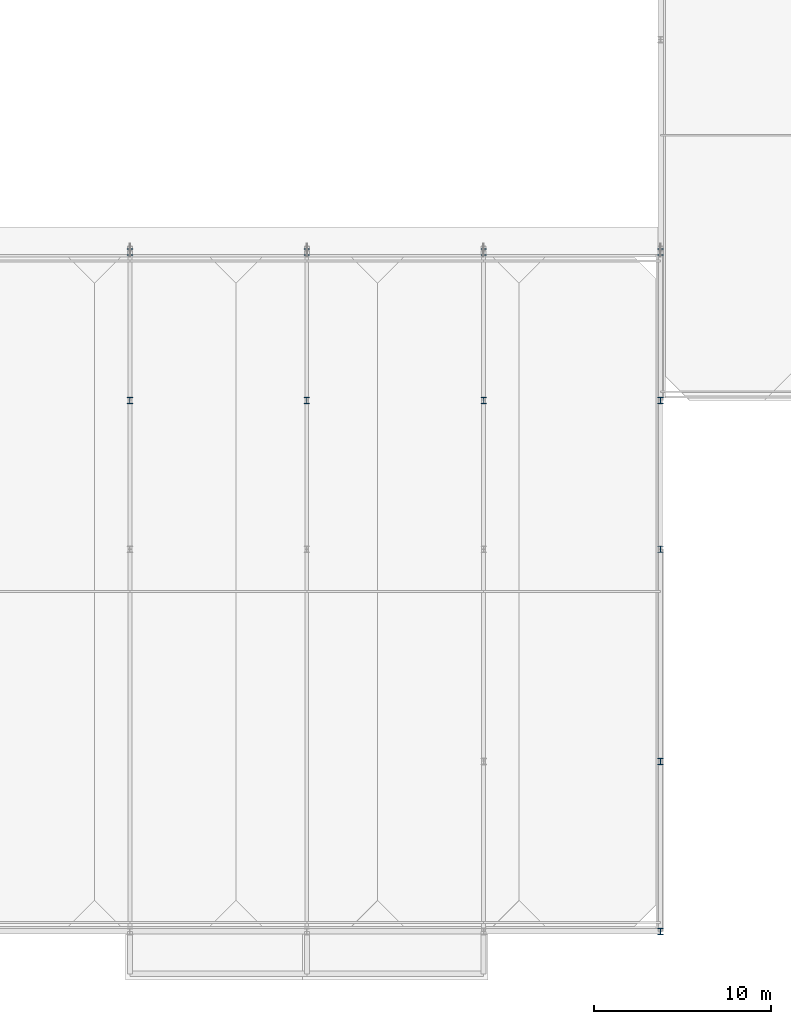
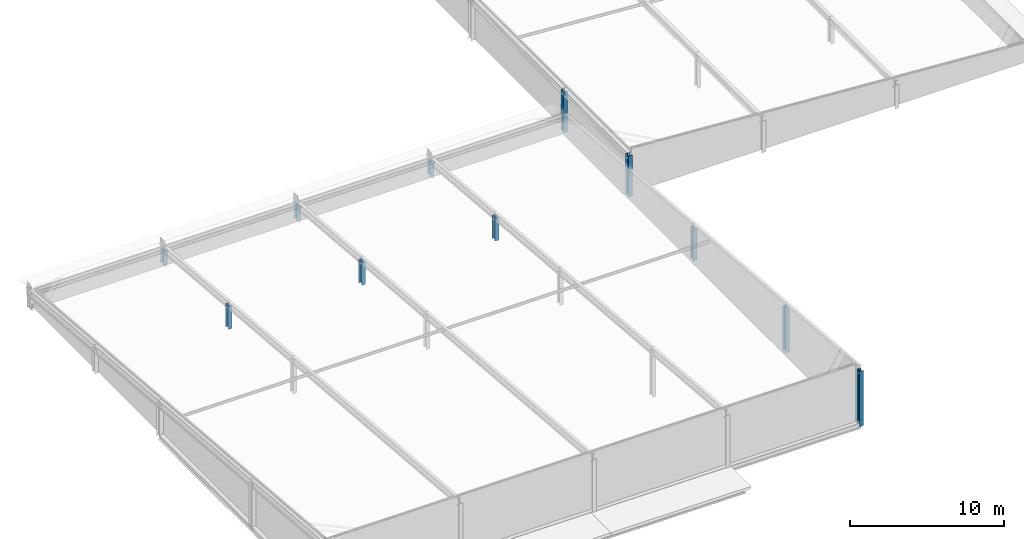
# One storey, part 16 of 79: 11 columns.
"""IFC4 building model written with IfcOpenShell, lengths in metres."""

from ifc_helpers import new_model, si_unit, direction, frame, origin, origin_2d, place, context, subcontext, project, spatial, i_section, extrude, material, material_profile, profile_set, type_object, element, save


model = new_model("IFC4")

# Units and contexts
model_context = context("Model", 3, precision=1e-05, world=origin(), true_north=direction((0.0, 1.0)))
body_context = subcontext(model_context, "Body", "Model", "MODEL_VIEW")
ifc_project = project(units=[si_unit("LENGTHUNIT", "METRE"), si_unit("AREAUNIT", "SQUARE_METRE"), si_unit("VOLUMEUNIT", "CUBIC_METRE"), si_unit("PLANEANGLEUNIT", "RADIAN"), si_unit("MASSUNIT", "GRAM", prefix="KILO")], contexts=[model_context])

# Site, building, storey
site_placement = place(None, origin())
site = spatial("IfcSite", under=ifc_project, at=site_placement, CompositionType="ELEMENT")
building_placement = place(site_placement, origin())
building = spatial("IfcBuilding", under=site, at=building_placement, Name="Zereglee Splitstone Museum", CompositionType="ELEMENT")
storey_placement = place(building_placement, frame((0.0, 0.0, 9.0)))
storey = spatial("IfcBuildingStorey", under=building, at=storey_placement, Name="L02", CompositionType="ELEMENT", Elevation=9.0)

# Columns
ifc_material = material(Name="Steel S355J2", Category="steel")
ifc_material_profile = material_profile(ifc_material, i_section(OverallWidth=0.300048828125, OverallDepth=0.360107421875, WebThickness=0.012451171875, FlangeThickness=0.0224609375, FilletRadius=0.027099609375, at=origin_2d()), Name="HE 360 B")
ifc_profile_set = profile_set([ifc_material_profile], Name="Steel S355J2")
column_type = type_object("IfcColumnType", Name="C-16", PredefinedType="COLUMN", material=ifc_profile_set)
column_1_placement = place(storey_placement, frame((266.0, 30.0, 0.0), z_axis=(0.0, 0.0, 1.0), x_axis=(1.0, 0.0, 0.0)))
element("IfcColumn", 1, at=column_1_placement, inside=storey, type_object=column_type, Name="Roof Support Column RF-V5 (266.0,30.0)", PredefinedType="COLUMN", context=body_context, shape_type="SweptSolid", body=[
    extrude(i_section(OverallWidth=0.300048828125, OverallDepth=0.360107421875, WebThickness=0.012451171875, FlangeThickness=0.0224609375, FilletRadius=0.027099609375, at=origin_2d()), origin(), (0.0, 0.0, 1.0), 1.868408203125),
])
column_2_placement = place(storey_placement, frame((266.0, 38.39990234375, 0.0), z_axis=(0.0, 0.0, 1.0), x_axis=(1.0, 0.0, 0.0)))
element("IfcColumn", 2, at=column_2_placement, inside=storey, type_object=column_type, Name="Roof Support Column RF-V5 (266.0,38.4)", PredefinedType="COLUMN", context=body_context, shape_type="SweptSolid", body=[
    extrude(i_section(OverallWidth=0.300048828125, OverallDepth=0.360107421875, WebThickness=0.012451171875, FlangeThickness=0.0224609375, FilletRadius=0.027099609375, at=origin_2d()), origin(), (0.0, 0.0, 1.0), 1.16845703125),
])
column_3_placement = place(storey_placement, frame((276.0, 30.0, 0.0), z_axis=(0.0, 0.0, 1.0), x_axis=(1.0, 0.0, 0.0)))
element("IfcColumn", 3, at=column_3_placement, inside=storey, type_object=column_type, Name="Roof Support Column RF-V5 (276.0,30.0)", PredefinedType="COLUMN", context=body_context, shape_type="SweptSolid", body=[
    extrude(i_section(OverallWidth=0.300048828125, OverallDepth=0.360107421875, WebThickness=0.012451171875, FlangeThickness=0.0224609375, FilletRadius=0.027099609375, at=origin_2d()), origin(), (0.0, 0.0, 1.0), 1.868408203125),
])
column_4_placement = place(storey_placement, frame((276.0, 38.39990234375, 0.0), z_axis=(0.0, 0.0, 1.0), x_axis=(1.0, 0.0, 0.0)))
element("IfcColumn", 4, at=column_4_placement, inside=storey, type_object=column_type, Name="Roof Support Column RF-V5 (276.0,38.4)", PredefinedType="COLUMN", context=body_context, shape_type="SweptSolid", body=[
    extrude(i_section(OverallWidth=0.300048828125, OverallDepth=0.360107421875, WebThickness=0.012451171875, FlangeThickness=0.0224609375, FilletRadius=0.027099609375, at=origin_2d()), origin(), (0.0, 0.0, 1.0), 1.16845703125),
])
column_5_placement = place(storey_placement, frame((286.0, 30.0, 0.0), z_axis=(0.0, 0.0, 1.0), x_axis=(1.0, 0.0, 0.0)))
element("IfcColumn", 5, at=column_5_placement, inside=storey, type_object=column_type, Name="Roof Support Column RF-V5 (286.0,30.0)", PredefinedType="COLUMN", context=body_context, shape_type="SweptSolid", body=[
    extrude(i_section(OverallWidth=0.300048828125, OverallDepth=0.360107421875, WebThickness=0.012451171875, FlangeThickness=0.0224609375, FilletRadius=0.027099609375, at=origin_2d()), origin(), (0.0, 0.0, 1.0), 1.868408203125),
])
column_6_placement = place(storey_placement, frame((286.0, 38.39990234375, 0.0), z_axis=(0.0, 0.0, 1.0), x_axis=(1.0, 0.0, 0.0)))
element("IfcColumn", 6, at=column_6_placement, inside=storey, type_object=column_type, Name="Roof Support Column RF-V5 (286.0,38.4)", PredefinedType="COLUMN", context=body_context, shape_type="SweptSolid", body=[
    extrude(i_section(OverallWidth=0.300048828125, OverallDepth=0.360107421875, WebThickness=0.012451171875, FlangeThickness=0.0224609375, FilletRadius=0.027099609375, at=origin_2d()), origin(), (0.0, 0.0, 1.0), 1.16845703125),
])
column_7_placement = place(storey_placement, frame((296.0, 0.0, 0.0), z_axis=(0.0, 0.0, 1.0), x_axis=(1.0, 0.0, 0.0)))
element("IfcColumn", 7, at=column_7_placement, inside=storey, type_object=column_type, Name="Roof Support Column RF-V5 (296.0,0.0)", PredefinedType="COLUMN", context=body_context, shape_type="SweptSolid", body=[
    extrude(i_section(OverallWidth=0.300048828125, OverallDepth=0.360107421875, WebThickness=0.012451171875, FlangeThickness=0.0224609375, FilletRadius=0.027099609375, at=origin_2d()), origin(), (0.0, 0.0, 1.0), 4.368408203125),
])
column_8_placement = place(storey_placement, frame((296.0, 9.60009765625, 0.0), z_axis=(0.0, 0.0, 1.0), x_axis=(1.0, 0.0, 0.0)))
element("IfcColumn", 8, at=column_8_placement, inside=storey, type_object=column_type, Name="Roof Support Column RF-V5 (296.0,9.6)", PredefinedType="COLUMN", context=body_context, shape_type="SweptSolid", body=[
    extrude(i_section(OverallWidth=0.300048828125, OverallDepth=0.360107421875, WebThickness=0.012451171875, FlangeThickness=0.0224609375, FilletRadius=0.027099609375, at=origin_2d()), origin(), (0.0, 0.0, 1.0), 3.568359375),
])
column_9_placement = place(storey_placement, frame((296.0, 21.60009765625, 0.0), z_axis=(0.0, 0.0, 1.0), x_axis=(1.0, 0.0, 0.0)))
element("IfcColumn", 9, at=column_9_placement, inside=storey, type_object=column_type, Name="Roof Support Column RF-V5 (296.0,21.6)", PredefinedType="COLUMN", context=body_context, shape_type="SweptSolid", body=[
    extrude(i_section(OverallWidth=0.300048828125, OverallDepth=0.360107421875, WebThickness=0.012451171875, FlangeThickness=0.0224609375, FilletRadius=0.027099609375, at=origin_2d()), origin(), (0.0, 0.0, 1.0), 2.568359375),
])
for number, where, z_axis, x_axis, name in (
    (10, (296.0, 30.0, 0.0), (0.0, 0.0, 1.0), (1.0, 0.0, 0.0), "Roof Support Column RF-V5 (296.0,30.0)"),
    (11, (296.0, 38.39990234375, 0.0), (0.0, 0.0, 1.0), (1.0, 0.0, 0.0), "Roof Support Column RF-V5 (296.0,38.4)"),
):
    element("IfcColumn", number, at=place(storey_placement, frame(where, z_axis=z_axis, x_axis=x_axis)), inside=storey, type_object=column_type, Name=name, PredefinedType="COLUMN", context=body_context, shape_type="SweptSolid", body=[
        extrude(i_section(OverallWidth=0.300048828125, OverallDepth=0.360107421875, WebThickness=0.012451171875, FlangeThickness=0.0224609375, FilletRadius=0.027099609375, at=origin_2d()), origin(), (0.0, 0.0, 1.0), 3.25),
    ])

save(model, "model.ifc")
